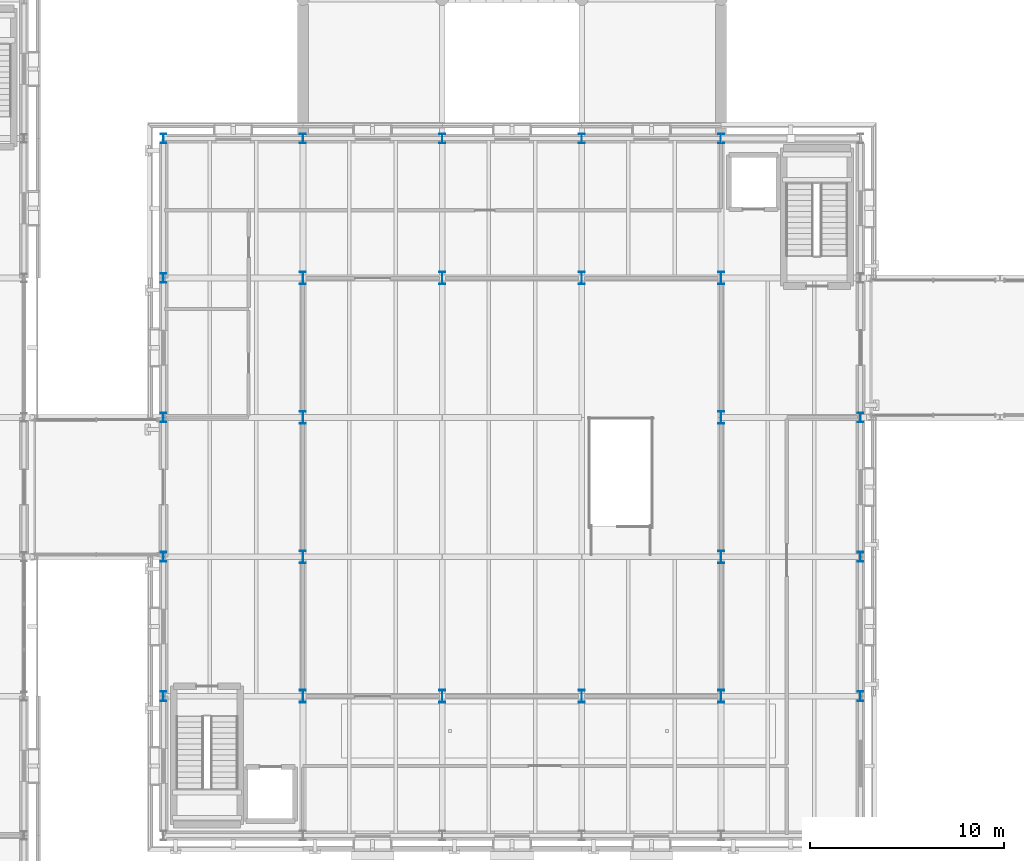
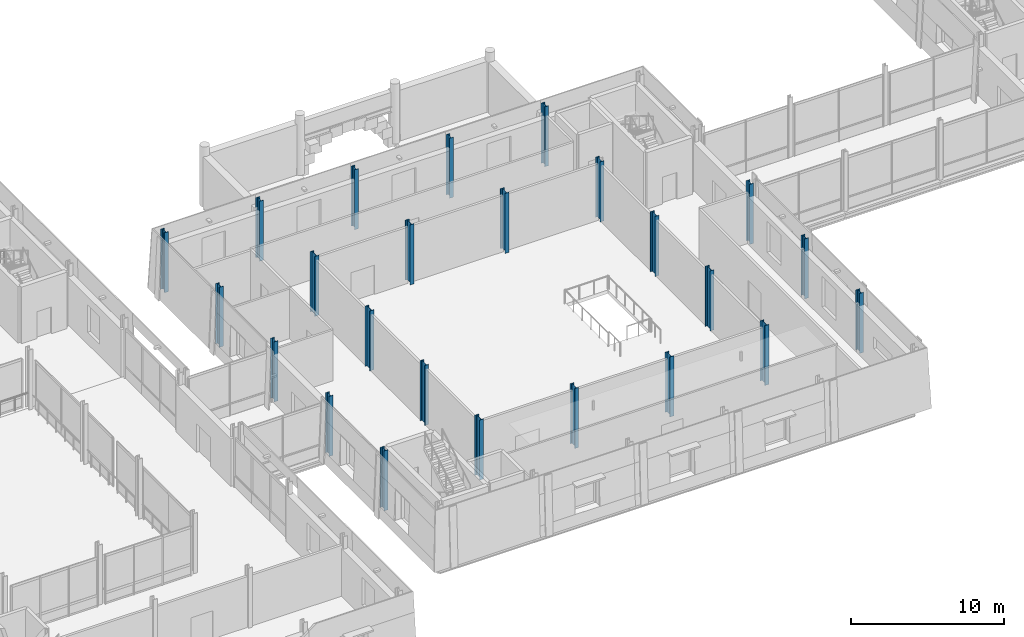
# One storey, part 12 of 121: 24 columns.
"""IFC4 building model written with IfcOpenShell, lengths in metres."""

from ifc_helpers import new_model, si_unit, direction, frame, origin, origin_2d, place, context, subcontext, project, spatial, i_section, extrude, material, material_profile, profile_set, type_object, element, save


model = new_model("IFC4")

# Units and contexts
model_context = context("Model", 3, precision=1e-05, world=origin(), true_north=direction((0.0, 1.0)))
body_context = subcontext(model_context, "Body", "Model", "MODEL_VIEW")
ifc_project = project(units=[si_unit("LENGTHUNIT", "METRE"), si_unit("AREAUNIT", "SQUARE_METRE"), si_unit("VOLUMEUNIT", "CUBIC_METRE"), si_unit("PLANEANGLEUNIT", "RADIAN"), si_unit("MASSUNIT", "GRAM", prefix="KILO")], contexts=[model_context])

# Site, building, storey
site_placement = place(None, origin())
site = spatial("IfcSite", under=ifc_project, at=site_placement, CompositionType="ELEMENT")
building_placement = place(site_placement, origin())
building = spatial("IfcBuilding", under=site, at=building_placement, Name="Narikvali Park Central Library", CompositionType="ELEMENT")
storey_placement = place(building_placement, frame((0.0, 0.0, 5.39990234375)))
storey = spatial("IfcBuildingStorey", under=building, at=storey_placement, Name="L01", CompositionType="ELEMENT", Elevation=5.39990234375)

# Columns
ifc_material = material(Name="Steel S355", Category="steel")
ifc_material_profile_1 = material_profile(ifc_material, i_section(OverallWidth=0.300048828125, OverallDepth=0.64990234375, WebThickness=0.01611328125, FlangeThickness=0.031005859375, FilletRadius=0.027099609375, at=origin_2d()), Name="HEB 650")
ifc_profile_set_1 = profile_set([ifc_material_profile_1], Name="Steel S355")
column_type_1 = type_object("IfcColumnType", Name="Dome Ring Column HEB650", PredefinedType="COLUMN", material=ifc_profile_set_1)
for number, where, z_axis, x_axis, name in (
    (1, (72.0, 64.800048828125, 0.0), (0.0, 0.0, 1.0), (1.0, 0.0, 0.0), "V1 L01 Column (72.0,64.8)"),
    (2, (72.0, 72.0, 0.0), (0.0, 0.0, 1.0), (1.0, 0.0, 0.0), "V1 L01 Column (72.0,72.0)"),
    (3, (72.0, 79.199951171875, 0.0), (0.0, 0.0, 1.0), (1.0, 0.0, 0.0), "V1 L01 Column (72.0,79.2)"),
    (4, (72.0, 86.39990234375, 0.0), (0.0, 0.0, 1.0), (1.0, 0.0, 0.0), "V1 L01 Column (72.0,86.4)"),
    (5, (79.199951171875, 64.800048828125, 0.0), (0.0, 0.0, 1.0), (1.0, 0.0, 0.0), "V1 L01 Column (79.2,64.8)"),
    (6, (79.199951171875, 86.39990234375, 0.0), (0.0, 0.0, 1.0), (1.0, 0.0, 0.0), "V1 L01 Column (79.2,86.4)"),
    (7, (86.39990234375, 64.800048828125, 0.0), (0.0, 0.0, 1.0), (1.0, 0.0, 0.0), "V1 L01 Column (86.4,64.8)"),
    (8, (86.39990234375, 86.39990234375, 0.0), (0.0, 0.0, 1.0), (1.0, 0.0, 0.0), "V1 L01 Column (86.4,86.4)"),
    (9, (93.60009765625, 64.800048828125, 0.0), (0.0, 0.0, 1.0), (1.0, 0.0, 0.0), "V1 L01 Column (93.6,64.8)"),
    (10, (93.60009765625, 72.0, 0.0), (0.0, 0.0, 1.0), (1.0, 0.0, 0.0), "V1 L01 Column (93.6,72.0)"),
    (11, (93.60009765625, 79.199951171875, 0.0), (0.0, 0.0, 1.0), (1.0, 0.0, 0.0), "V1 L01 Column (93.6,79.2)"),
    (12, (93.60009765625, 86.39990234375, 0.0), (0.0, 0.0, 1.0), (1.0, 0.0, 0.0), "V1 L01 Column (93.6,86.4)"),
):
    element("IfcColumn", number, at=place(storey_placement, frame(where, z_axis=z_axis, x_axis=x_axis)), inside=storey, type_object=column_type_1, Name=name, PredefinedType="COLUMN", context=body_context, shape_type="SweptSolid", body=[
        extrude(i_section(OverallWidth=0.300048828125, OverallDepth=0.64990234375, WebThickness=0.01611328125, FlangeThickness=0.031005859375, FilletRadius=0.027099609375, at=origin_2d()), origin(), (0.0, 0.0, 1.0), 4.800048828125),
    ])
ifc_material_profile_2 = material_profile(ifc_material, i_section(OverallWidth=0.300048828125, OverallDepth=0.5, WebThickness=0.014404296875, FlangeThickness=0.028076171875, FilletRadius=0.027099609375, at=origin_2d()), Name="HEB 500")
ifc_profile_set_2 = profile_set([ifc_material_profile_2], Name="Steel S355")
column_type_2 = type_object("IfcColumnType", Name="Steel Column HEB500", PredefinedType="COLUMN", material=ifc_profile_set_2)
for number, where, z_axis, x_axis, name in (
    (13, (64.800048828125, 64.800048828125, 0.0), (0.0, 0.0, 1.0), (1.0, 0.0, 0.0), "V1 L01 Column (64.8,64.8)"),
    (14, (64.800048828125, 72.0, 0.0), (0.0, 0.0, 1.0), (1.0, 0.0, 0.0), "V1 L01 Column (64.8,72.0)"),
    (15, (64.800048828125, 79.199951171875, 0.0), (0.0, 0.0, 1.0), (1.0, 0.0, 0.0), "V1 L01 Column (64.8,79.2)"),
    (16, (64.800048828125, 86.39990234375, 0.0), (0.0, 0.0, 1.0), (1.0, 0.0, 0.0), "V1 L01 Column (64.8,86.4)"),
    (17, (64.800048828125, 93.60009765625, 0.0), (0.0, 0.0, 1.0), (1.0, 0.0, 0.0), "V1 L01 Column (64.8,93.6)"),
    (18, (72.0, 93.60009765625, 0.0), (0.0, 0.0, 1.0), (1.0, 0.0, 0.0), "V1 L01 Column (72.0,93.6)"),
    (19, (79.199951171875, 93.60009765625, 0.0), (0.0, 0.0, 1.0), (1.0, 0.0, 0.0), "V1 L01 Column (79.2,93.6)"),
    (20, (86.39990234375, 93.60009765625, 0.0), (0.0, 0.0, 1.0), (1.0, 0.0, 0.0), "V1 L01 Column (86.4,93.6)"),
    (21, (93.60009765625, 93.60009765625, 0.0), (0.0, 0.0, 1.0), (1.0, 0.0, 0.0), "V1 L01 Column (93.6,93.6)"),
    (22, (100.800048828125, 64.800048828125, 0.0), (0.0, 0.0, 1.0), (1.0, 0.0, 0.0), "V1 L01 Column (100.8,64.8)"),
    (23, (100.800048828125, 72.0, 0.0), (0.0, 0.0, 1.0), (1.0, 0.0, 0.0), "V1 L01 Column (100.8,72.0)"),
    (24, (100.800048828125, 79.199951171875, 0.0), (0.0, 0.0, 1.0), (1.0, 0.0, 0.0), "V1 L01 Column (100.8,79.2)"),
):
    element("IfcColumn", number, at=place(storey_placement, frame(where, z_axis=z_axis, x_axis=x_axis)), inside=storey, type_object=column_type_2, Name=name, PredefinedType="COLUMN", context=body_context, shape_type="SweptSolid", body=[
        extrude(i_section(OverallWidth=0.300048828125, OverallDepth=0.5, WebThickness=0.014404296875, FlangeThickness=0.028076171875, FilletRadius=0.027099609375, at=origin_2d()), origin(), (0.0, 0.0, 1.0), 4.800048828125),
    ])

save(model, "model.ifc")
